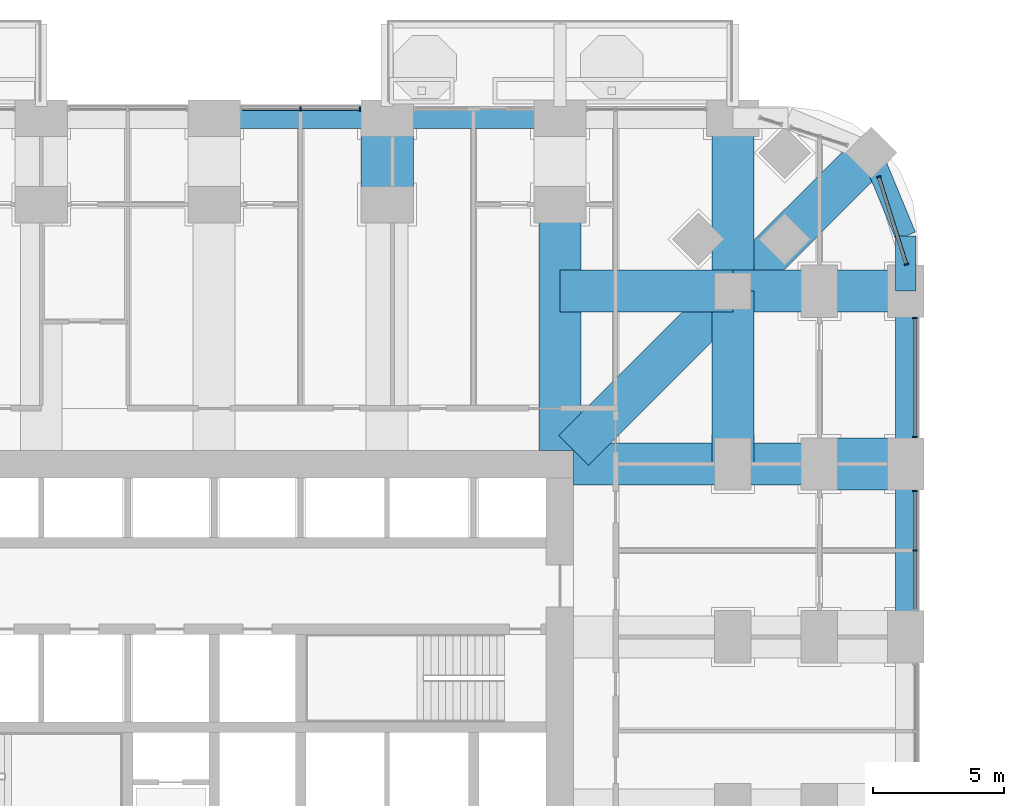
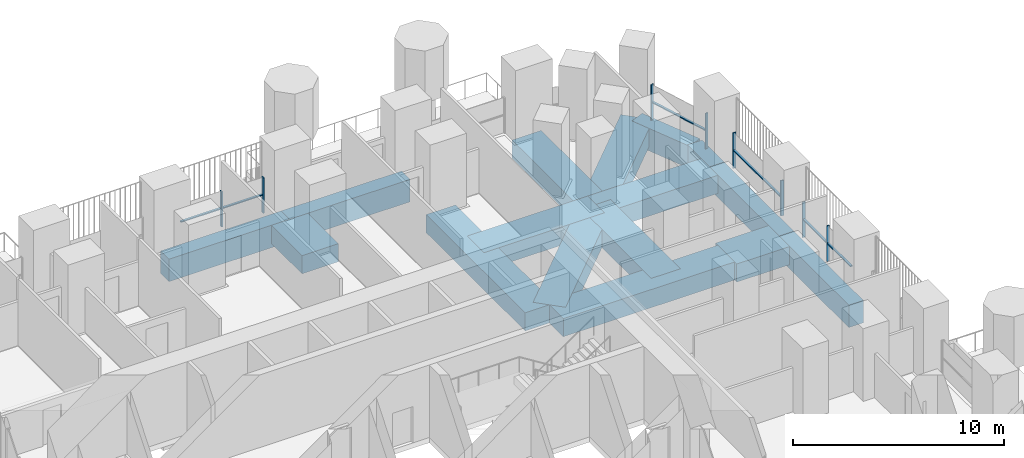
# One storey, part 9 of 27: 16 beams, 14 members, 4 elements without a shape of their own.
"""IFC4 building model written with IfcOpenShell, lengths in metres."""

from ifc_helpers import new_model, si_unit, direction, frame, origin, origin_2d, place, context, subcontext, project, spatial, rectangle, extrude, material, material_profile, profile_set, type_object, element, aggregate, save


model = new_model("IFC4")

# Units and contexts
model_context = context("Model", 3, precision=1e-05, world=origin(), true_north=direction((0.0, 1.0)))
body_context = subcontext(model_context, "Body", "Model", "MODEL_VIEW")
ifc_project = project(units=[si_unit("LENGTHUNIT", "METRE"), si_unit("AREAUNIT", "SQUARE_METRE"), si_unit("VOLUMEUNIT", "CUBIC_METRE"), si_unit("PLANEANGLEUNIT", "RADIAN"), si_unit("MASSUNIT", "GRAM", prefix="KILO")], contexts=[model_context])

# Site, building, storey
site_placement = place(None, origin())
site = spatial("IfcSite", under=ifc_project, at=site_placement, CompositionType="ELEMENT")
building_placement = place(site_placement, origin())
building = spatial("IfcBuilding", under=site, at=building_placement, Name="Cobogo Forest Laboratory Tower", CompositionType="ELEMENT")
storey_placement = place(building_placement, frame((0.0, 0.0, 71.699951171875)))
storey = spatial("IfcBuildingStorey", under=building, at=storey_placement, Name="L16", CompositionType="ELEMENT", Elevation=71.699951171875)

# Beams
ifc_material_1 = material(Name="Concrete HA-50 (C50/60)", Category="concrete")
ifc_material_profile_1 = material_profile(ifc_material_1, rectangle(XDim=2.0, YDim=1.050048828125, at=origin_2d()), Name="RC 2000x1050")
ifc_profile_set_1 = profile_set([ifc_material_profile_1], Name="Concrete HA-50 (C50/60)")
beam_type_1 = type_object("IfcBeamType", Name="End-bay wide beam 2000x1050", PredefinedType="BEAM", material=ifc_profile_set_1)
for number, where, z_axis, x_axis, name in (
    (1, (33.0, 46.199951171875, -0.824951171875), (0.0, -1.0, 0.0), (1.0, 0.0, 0.0), "RB7 R-6-N-X L16"),
    (2, (52.800048828125, 33.0, -0.824951171875), (-1.0, 0.0, 0.0), (0.0, -1.0, 0.0), "RB7 R-F-E-X L16"),
):
    element("IfcBeam", number, at=place(storey_placement, frame(where, z_axis=z_axis, x_axis=x_axis)), inside=storey, type_object=beam_type_1, Name=name, PredefinedType="BEAM", context=body_context, shape_type="SweptSolid", body=[
        extrude(rectangle(XDim=2.0, YDim=1.050048828125, at=origin_2d()), origin(), (0.0, 0.0, 1.0), 3.300048828125),
    ])
ifc_material_profile_2 = material_profile(ifc_material_1, rectangle(XDim=1.60009765625, YDim=1.050048828125, at=origin_2d()), Name="RC 1600x1050")
ifc_profile_set_2 = profile_set([ifc_material_profile_2], Name="Concrete HA-50 (C50/60)")
beam_type_2 = type_object("IfcBeamType", Name="Laboratory floor wide beam 1600x1050", PredefinedType="BEAM", material=ifc_profile_set_2)
for number, where, z_axis, x_axis, name in (
    (3, (39.60009765625, 33.52490234375, -0.824951171875), (0.0, 1.0, 0.0), (-1.0, 0.0, 0.0), "RB8 R-7-N L16"),
    (4, (40.125, 33.0, -0.824951171875), (1.0, 0.0, 0.0), (0.0, 1.0, 0.0), "RB8 R-F-E L16"),
):
    element("IfcBeam", number, at=place(storey_placement, frame(where, z_axis=z_axis, x_axis=x_axis)), inside=storey, type_object=beam_type_2, Name=name, PredefinedType="BEAM", context=body_context, shape_type="SweptSolid", body=[
        extrude(rectangle(XDim=1.60009765625, YDim=1.050048828125, at=origin_2d()), origin(), (0.0, 0.0, 1.0), 9.375),
    ])
beam_1_placement = place(storey_placement, frame((46.199951171875, 46.199951171875, -0.824951171875), z_axis=(0.0, -1.0, 0.0), x_axis=(1.0, 0.0, 0.0)))
element("IfcBeam", 5, at=beam_1_placement, inside=storey, type_object=beam_type_2, Name="RB8 G-NE-XF L16", PredefinedType="BEAM", context=body_context, shape_type="SweptSolid", body=[
    extrude(rectangle(XDim=1.60009765625, YDim=1.050048828125, at=origin_2d()), origin(), (0.0, 0.0, 1.0), 6.599853515625),
])
for number, where, z_axis, x_axis, name in (
    (6, (46.199951171875, 39.60009765625, -0.824951171875), (0.0, -1.0, 0.0), (1.0, 0.0, 0.0), "RB8 G-NE-XC L16"),
    (7, (52.800048828125, 39.60009765625, -0.824951171875), (-1.0, 0.0, 0.0), (0.0, -1.0, 0.0), "RB8 G-NE-YF L16"),
):
    element("IfcBeam", number, at=place(storey_placement, frame(where, z_axis=z_axis, x_axis=x_axis)), inside=storey, type_object=beam_type_2, Name=name, PredefinedType="BEAM", context=body_context, shape_type="SweptSolid", body=[
        extrude(rectangle(XDim=1.60009765625, YDim=1.050048828125, at=origin_2d()), origin(), (0.0, 0.0, 1.0), 6.60009765625),
    ])
beam_2_placement = place(storey_placement, frame((46.199951171875, 39.60009765625, -0.824951171875), z_axis=(-1.0, 0.0, 0.0), x_axis=(0.0, -1.0, 0.0)))
element("IfcBeam", 8, at=beam_2_placement, inside=storey, type_object=beam_type_2, Name="RB8 G-NE-YC L16", PredefinedType="BEAM", context=body_context, shape_type="SweptSolid", body=[
    extrude(rectangle(XDim=1.60009765625, YDim=1.050048828125, at=origin_2d()), origin(), (0.0, 0.0, 1.0), 6.599853515625),
])
beam_3_placement = place(storey_placement, frame((51.48193359375, 44.882080078125, -0.824951171875), z_axis=(-0.707106781187, -0.707106781187, 0.0), x_axis=(0.707106781187, -0.707106781187, 0.0)))
element("IfcBeam", 9, at=beam_3_placement, inside=storey, type_object=beam_type_2, Name="RB8 G-NE-D1 L16", PredefinedType="BEAM", context=body_context, shape_type="SweptSolid", body=[
    extrude(rectangle(XDim=1.60009765625, YDim=1.050048828125, at=origin_2d()), origin(), (0.0, 0.0, 1.0), 7.469970703125),
])
beam_4_placement = place(storey_placement, frame((46.199951171875, 39.60009765625, -0.824951171875), z_axis=(-0.707092572697, -0.70712098939, 0.0), x_axis=(0.70712098939, -0.707092572697, 0.0)))
element("IfcBeam", 10, at=beam_4_placement, inside=storey, type_object=beam_type_2, Name="RB8 G-NE-D2 L16", PredefinedType="BEAM", context=body_context, shape_type="SweptSolid", body=[
    extrude(rectangle(XDim=1.60009765625, YDim=1.050048828125, at=origin_2d()), origin(), (0.0, 0.0, 1.0), 8.591552734375),
])

# Curtain wall, members
ifc_material_2 = material(Name="Aluminium curtain wall", Category="aluminium")
curtain_wall_type = type_object("IfcCurtainWallType", Name="CW-1 unitised curtain wall, clear glazing, laboratory floors zones A and B", PredefinedType="USERDEFINED", material=ifc_material_2)
curtain_wall_1_placement = place(storey_placement, origin())
curtain_wall_1 = element("IfcCurtainWall", 11, at=curtain_wall_1_placement, inside=storey, type_object=curtain_wall_type, Name="Curtain wall 13 L16", ObjectType="UNITISED CURTAIN WALL", PredefinedType="USERDEFINED")
ifc_material_3 = material(Name="Aluminium mullion", Category="aluminium")
ifc_material_profile_3 = material_profile(ifc_material_3, rectangle(XDim=0.06005859375, YDim=0.159912109375, at=origin_2d()), Name="AL 60x160")
ifc_profile_set_3 = profile_set([ifc_material_profile_3], Name="Aluminium mullion")
member_type_1 = type_object("IfcMemberType", Name="MU-1 aluminium mullion 60x160", PredefinedType="MULLION", material=ifc_profile_set_3)
member_1_placement = place(storey_placement, frame((53.14990234375, 29.699951171875, 0.0), z_axis=(0.0, 0.0, 1.0), x_axis=(0.0, 1.0, 0.0)))
member_1 = element("IfcMember", 12, at=member_1_placement, type_object=member_type_1, Name="CW-1 mullion 2", PredefinedType="MULLION", context=body_context, shape_type="SweptSolid", body=[
    extrude(rectangle(XDim=0.06005859375, YDim=0.159912109375, at=origin_2d()), origin(), (0.0, 0.0, 1.0), 2.050048828125),
])
member_2_placement = place(storey_placement, frame((53.14990234375, 31.969970703125, 0.0), z_axis=(0.0, 0.0, 1.0), x_axis=(0.0, 1.0, 0.0)))
member_2 = element("IfcMember", 13, at=member_2_placement, type_object=member_type_1, Name="CW-1 mullion 3", PredefinedType="MULLION", context=body_context, shape_type="SweptSolid", body=[
    extrude(rectangle(XDim=0.06005859375, YDim=0.159912109375, at=origin_2d()), origin(), (0.0, 0.0, 1.0), 2.050048828125),
])

curtain_wall_2_placement = place(storey_placement, origin())
curtain_wall_2 = element("IfcCurtainWall", 14, at=curtain_wall_2_placement, inside=storey, type_object=curtain_wall_type, Name="Curtain wall 14 L16", ObjectType="UNITISED CURTAIN WALL", PredefinedType="USERDEFINED")
member_3_placement = place(storey_placement, frame((53.14990234375, 34.030029296875, 0.0), z_axis=(0.0, 0.0, 1.0), x_axis=(0.0, 1.0, 0.0)))
member_3 = element("IfcMember", 15, at=member_3_placement, type_object=member_type_1, Name="CW-1 mullion 1", PredefinedType="MULLION", context=body_context, shape_type="SweptSolid", body=[
    extrude(rectangle(XDim=0.06005859375, YDim=0.159912109375, at=origin_2d()), origin(), (0.0, 0.0, 1.0), 2.050048828125),
])
member_4_placement = place(storey_placement, frame((53.14990234375, 38.570068359375, 0.0), z_axis=(0.0, 0.0, 1.0), x_axis=(0.0, 1.0, 0.0)))
member_4 = element("IfcMember", 16, at=member_4_placement, type_object=member_type_1, Name="CW-1 mullion 2", PredefinedType="MULLION", context=body_context, shape_type="SweptSolid", body=[
    extrude(rectangle(XDim=0.06005859375, YDim=0.159912109375, at=origin_2d()), origin(), (0.0, 0.0, 1.0), 2.050048828125),
])

curtain_wall_3_placement = place(storey_placement, origin())
curtain_wall_3 = element("IfcCurtainWall", 17, at=curtain_wall_3_placement, inside=storey, type_object=curtain_wall_type, Name="Curtain wall 15 L16", ObjectType="UNITISED CURTAIN WALL", PredefinedType="USERDEFINED")
member_5_placement = place(storey_placement, frame((52.8251953125, 40.628662109375, 0.0), z_axis=(0.0, 0.0, 1.0), x_axis=(-0.301135433696, 0.953581381201, 0.0)))
member_5 = element("IfcMember", 18, at=member_5_placement, type_object=member_type_1, Name="CW-1 mullion 1", PredefinedType="MULLION", context=body_context, shape_type="SweptSolid", body=[
    extrude(rectangle(XDim=0.06005859375, YDim=0.159912109375, at=origin_2d()), origin(), (0.0, 0.0, 1.0), 2.050048828125),
])
member_6_placement = place(storey_placement, frame((51.772705078125, 43.961181640625, 0.0), z_axis=(0.0, 0.0, 1.0), x_axis=(-0.301135433696, 0.953581381201, 0.0)))
member_6 = element("IfcMember", 19, at=member_6_placement, type_object=member_type_1, Name="CW-1 mullion 2", PredefinedType="MULLION", context=body_context, shape_type="SweptSolid", body=[
    extrude(rectangle(XDim=0.06005859375, YDim=0.159912109375, at=origin_2d()), origin(), (0.0, 0.0, 1.0), 2.050048828125),
])

curtain_wall_4_placement = place(storey_placement, origin())
curtain_wall_4 = element("IfcCurtainWall", 20, at=curtain_wall_4_placement, inside=storey, type_object=curtain_wall_type, Name="Curtain wall 20 L16", ObjectType="UNITISED CURTAIN WALL", PredefinedType="USERDEFINED")
member_7_placement = place(storey_placement, frame((31.969970703125, 46.550048828125, 0.0), z_axis=(0.0, 0.0, 1.0), x_axis=(-1.0, 0.0, 0.0)))
member_7 = element("IfcMember", 21, at=member_7_placement, type_object=member_type_1, Name="CW-1 mullion 1", PredefinedType="MULLION", context=body_context, shape_type="SweptSolid", body=[
    extrude(rectangle(XDim=0.06005859375, YDim=0.159912109375, at=origin_2d()), origin(), (0.0, 0.0, 1.0), 2.050048828125),
])
member_8_placement = place(storey_placement, frame((29.699951171875, 46.550048828125, 0.0), z_axis=(0.0, 0.0, 1.0), x_axis=(-1.0, 0.0, 0.0)))
member_8 = element("IfcMember", 22, at=member_8_placement, type_object=member_type_1, Name="CW-1 mullion 2", PredefinedType="MULLION", context=body_context, shape_type="SweptSolid", body=[
    extrude(rectangle(XDim=0.06005859375, YDim=0.159912109375, at=origin_2d()), origin(), (0.0, 0.0, 1.0), 2.050048828125),
])

# Beams
ifc_material_4 = material(Name="Concrete HA-40 (C40/50)", Category="concrete")
ifc_material_profile_4 = material_profile(ifc_material_4, rectangle(XDim=0.800048828125, YDim=1.300048828125, at=origin_2d()), Name="RC 800x1300")
ifc_profile_set_4 = profile_set([ifc_material_profile_4], Name="Concrete HA-40 (C40/50)")
beam_type_3 = type_object("IfcBeamType", Name="Perimeter edge beam 800x1300", PredefinedType="BEAM", material=ifc_profile_set_4)
for number, where, z_axis, x_axis, name in (
    (23, (52.800048828125, 26.39990234375, -0.949951171875), (0.0, 1.0, 0.0), (-1.0, 0.0, 0.0), "EB2 E-E4 L16"),
    (24, (52.800048828125, 33.0, -0.949951171875), (0.0, 1.0, 0.0), (-1.0, 0.0, 0.0), "EB2 E-E5 L16"),
    (25, (26.39990234375, 46.199951171875, -0.949951171875), (1.0, 0.0, 0.0), (0.0, 1.0, 0.0), "EB2 E-N4 L16"),
    (26, (33.0, 46.199951171875, -0.949951171875), (1.0, 0.0, 0.0), (0.0, 1.0, 0.0), "EB2 E-N5 L16"),
):
    element("IfcBeam", number, at=place(storey_placement, frame(where, z_axis=z_axis, x_axis=x_axis)), inside=storey, type_object=beam_type_3, Name=name, PredefinedType="BEAM", context=body_context, shape_type="SweptSolid", body=[
        extrude(rectangle(XDim=0.800048828125, YDim=1.300048828125, at=origin_2d()), origin(), (0.0, 0.0, 1.0), 6.60009765625),
    ])
beam_5_placement = place(storey_placement, frame((52.800048828125, 39.60009765625, -0.949951171875), z_axis=(0.0, 1.0, 0.0), x_axis=(-1.0, 0.0, 0.0)))
element("IfcBeam", 27, at=beam_5_placement, inside=storey, type_object=beam_type_3, Name="EB2 E-NEE1 L16", PredefinedType="BEAM", context=body_context, shape_type="SweptSolid", body=[
    extrude(rectangle(XDim=0.800048828125, YDim=1.300048828125, at=origin_2d()), origin(), (0.0, 0.0, 1.0), 2.099853515625),
])
beam_6_placement = place(storey_placement, frame((52.800048828125, 41.699951171875, -0.949951171875), z_axis=(-0.382691928466, 0.923876013265, 0.0), x_axis=(-0.923876013265, -0.382691928466, 0.0)))
element("IfcBeam", 28, at=beam_6_placement, inside=storey, type_object=beam_type_3, Name="EB2 E-NEE2 L16", PredefinedType="BEAM", context=body_context, shape_type="SweptSolid", body=[
    extrude(rectangle(XDim=0.800048828125, YDim=1.300048828125, at=origin_2d()), origin(), (0.0, 0.0, 1.0), 3.4443359375),
])

# Member
ifc_material_5 = material(Name="Aluminium transom", Category="aluminium")
ifc_material_profile_5 = material_profile(ifc_material_5, rectangle(XDim=0.1201171875, YDim=0.06005859375, at=origin_2d()), Name="AL 60x120")
ifc_profile_set_5 = profile_set([ifc_material_profile_5], Name="Aluminium transom")
member_type_2 = type_object("IfcMemberType", Name="TR-1 aluminium transom 60x120", PredefinedType="USERDEFINED", material=ifc_profile_set_5)
member_9_placement = place(storey_placement, frame((53.14990234375, 27.4599609375, 1.050048828125), z_axis=(0.0, 1.0, 0.0), x_axis=(-1.0, 0.0, 0.0)))
member_9 = element("IfcMember", 29, at=member_9_placement, type_object=member_type_2, Name="CW-1 transom 1.1", ObjectType="TRANSOM", PredefinedType="USERDEFINED", context=body_context, shape_type="SweptSolid", body=[
    extrude(rectangle(XDim=0.1201171875, YDim=0.06005859375, at=origin_2d()), origin(), (0.0, 0.0, 1.0), 2.2099609375),
])

member_10_placement = place(storey_placement, frame((53.14990234375, 29.72998046875, 1.050048828125), z_axis=(0.0, 1.0, 0.0), x_axis=(-1.0, 0.0, 0.0)))
member_10 = element("IfcMember", 30, at=member_10_placement, type_object=member_type_2, Name="CW-1 transom 2.1", ObjectType="TRANSOM", PredefinedType="USERDEFINED", context=body_context, shape_type="SweptSolid", body=[
    extrude(rectangle(XDim=0.1201171875, YDim=0.06005859375, at=origin_2d()), origin(), (0.0, 0.0, 1.0), 2.2099609375),
])

aggregate(curtain_wall_1, [member_1, member_2, member_9, member_10])

member_11_placement = place(storey_placement, frame((53.14990234375, 34.06005859375, 1.050048828125), z_axis=(0.0, 1.0, 0.0), x_axis=(-1.0, 0.0, 0.0)))
member_11 = element("IfcMember", 31, at=member_11_placement, type_object=member_type_2, Name="CW-1 transom 1.1", ObjectType="TRANSOM", PredefinedType="USERDEFINED", context=body_context, shape_type="SweptSolid", body=[
    extrude(rectangle(XDim=0.1201171875, YDim=0.06005859375, at=origin_2d()), origin(), (0.0, 0.0, 1.0), 4.47998046875),
])

aggregate(curtain_wall_2, [member_3, member_4, member_11])

member_12_placement = place(storey_placement, frame((52.816162109375, 40.6572265625, 1.050048828125), z_axis=(-0.301155179686, 0.953575145308, 0.0), x_axis=(-0.953575145308, -0.301155179686, 0.0)))
member_12 = element("IfcMember", 32, at=member_12_placement, type_object=member_type_2, Name="CW-1 transom 1.1", ObjectType="TRANSOM", PredefinedType="USERDEFINED", context=body_context, shape_type="SweptSolid", body=[
    extrude(rectangle(XDim=0.1201171875, YDim=0.06005859375, at=origin_2d()), origin(), (0.0, 0.0, 1.0), 3.434814453125),
])

aggregate(curtain_wall_3, [member_5, member_6, member_12])

member_13_placement = place(storey_placement, frame((31.93994140625, 46.550048828125, 1.050048828125), z_axis=(-1.0, 0.0, 0.0), x_axis=(0.0, -1.0, 0.0)))
member_13 = element("IfcMember", 33, at=member_13_placement, type_object=member_type_2, Name="CW-1 transom 1.1", ObjectType="TRANSOM", PredefinedType="USERDEFINED", context=body_context, shape_type="SweptSolid", body=[
    extrude(rectangle(XDim=0.1201171875, YDim=0.06005859375, at=origin_2d()), origin(), (0.0, 0.0, 1.0), 2.2099609375),
])

member_14_placement = place(storey_placement, frame((29.669921875, 46.550048828125, 1.050048828125), z_axis=(-1.0, 0.0, 0.0), x_axis=(0.0, -1.0, 0.0)))
member_14 = element("IfcMember", 34, at=member_14_placement, type_object=member_type_2, Name="CW-1 transom 2.1", ObjectType="TRANSOM", PredefinedType="USERDEFINED", context=body_context, shape_type="SweptSolid", body=[
    extrude(rectangle(XDim=0.1201171875, YDim=0.06005859375, at=origin_2d()), origin(), (0.0, 0.0, 1.0), 2.2099609375),
])

aggregate(curtain_wall_4, [member_7, member_8, member_13, member_14])

save(model, "model.ifc")
